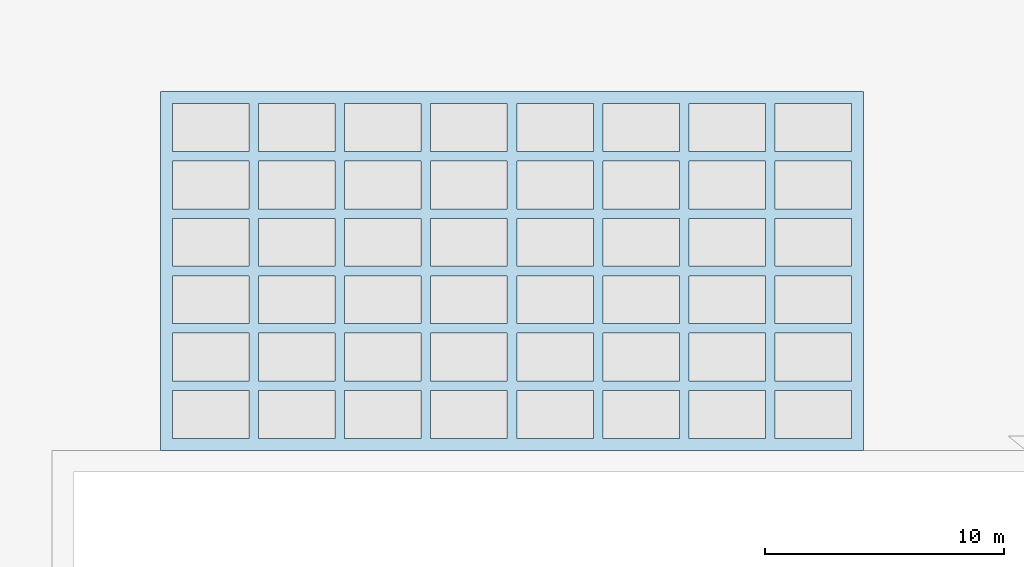
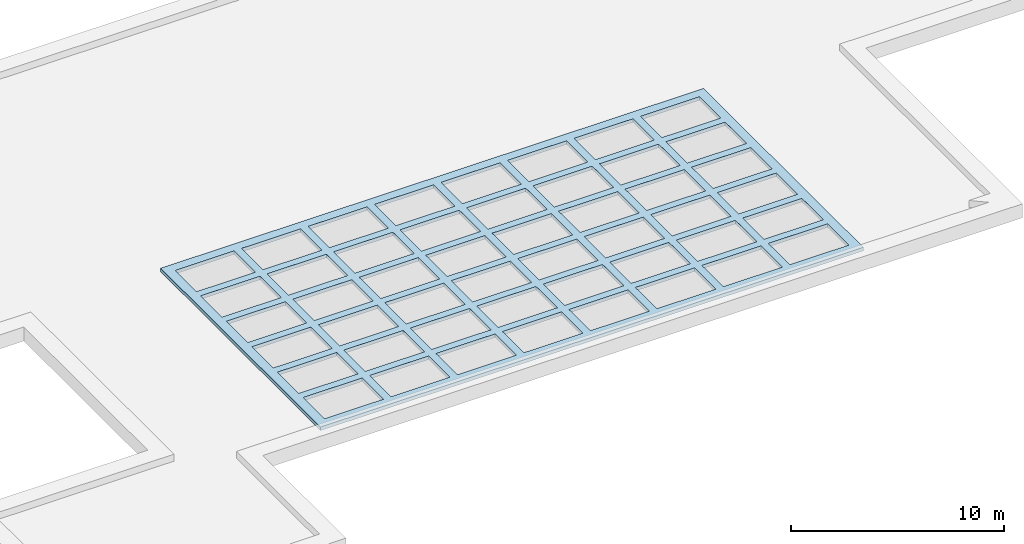
# One storey, part 1 of 2: 1 slab, 48 openings.
"""IFC4 building model written with IfcOpenShell, lengths in metres."""

from ifc_helpers import new_model, si_unit, direction, frame, origin, origin_2d, place, context, subcontext, project, spatial, polyline, rectangle, outline, extrude, material, layer, layer_set, type_object, element, save


model = new_model("IFC4")

# Units and contexts
model_context = context("Model", 3, precision=1e-05, world=origin(), true_north=direction((0.0, 1.0)))
body_context = subcontext(model_context, "Body", "Model", "MODEL_VIEW")
ifc_project = project(units=[si_unit("LENGTHUNIT", "METRE"), si_unit("AREAUNIT", "SQUARE_METRE"), si_unit("VOLUMEUNIT", "CUBIC_METRE"), si_unit("PLANEANGLEUNIT", "RADIAN"), si_unit("MASSUNIT", "GRAM", prefix="KILO")], contexts=[model_context])

# Site, building, storey
site_placement = place(None, origin())
site = spatial("IfcSite", under=ifc_project, at=site_placement, CompositionType="ELEMENT")
building_placement = place(site_placement, origin())
building = spatial("IfcBuilding", under=site, at=building_placement, Name="Saffron Iwan Residences", CompositionType="ELEMENT")
storey_placement = place(building_placement, frame((0.0, 0.0, 281.5)))
storey = spatial("IfcBuildingStorey", under=building, at=storey_placement, Name="ROOF", CompositionType="ELEMENT", Elevation=281.5)

# Slab, openings
ifc_material = material(Name="Steel S355", Category="steel")
ifc_layer = layer(ifc_material, 0.199951171875)
ifc_layer_set = layer_set([ifc_layer], Name="Steel S355")
slab_type = type_object("IfcSlabType", Name="ROOFLIGHT FRAME 200", PredefinedType="ROOF", material=ifc_layer_set)
slab_placement = place(storey_placement, frame((0.0, 0.0, 1.2998046875)))
slab = element("IfcSlab", 1, at=slab_placement, inside=storey, type_object=slab_type, Name="Rooflight glazing frame", PredefinedType="ROOF", context=body_context, shape_type="SweptSolid", body=[
    extrude(outline(polyline([(65.10009765625, 47.699951171875), (65.10009765625, 62.699951171875), (35.699951171875, 62.699951171875), (35.699951171875, 47.699951171875), (65.10009765625, 47.699951171875)]), holes=[polyline([(36.199951171875, 48.199951171875), (39.39990234375, 48.199951171875), (39.39990234375, 50.199951171875), (36.199951171875, 50.199951171875), (36.199951171875, 48.199951171875)]), polyline([(36.199951171875, 50.60009765625), (39.39990234375, 50.60009765625), (39.39990234375, 52.60009765625), (36.199951171875, 52.60009765625), (36.199951171875, 50.60009765625)]), polyline([(36.199951171875, 53.0), (39.39990234375, 53.0), (39.39990234375, 55.0), (36.199951171875, 55.0), (36.199951171875, 53.0)]), polyline([(36.199951171875, 55.39990234375), (39.39990234375, 55.39990234375), (39.39990234375, 57.39990234375), (36.199951171875, 57.39990234375), (36.199951171875, 55.39990234375)]), polyline([(36.199951171875, 57.800048828125), (39.39990234375, 57.800048828125), (39.39990234375, 59.800048828125), (36.199951171875, 59.800048828125), (36.199951171875, 57.800048828125)]), polyline([(36.199951171875, 60.199951171875), (39.39990234375, 60.199951171875), (39.39990234375, 62.199951171875), (36.199951171875, 62.199951171875), (36.199951171875, 60.199951171875)]), polyline([(39.800048828125, 48.199951171875), (43.0, 48.199951171875), (43.0, 50.199951171875), (39.800048828125, 50.199951171875), (39.800048828125, 48.199951171875)]), polyline([(39.800048828125, 50.60009765625), (43.0, 50.60009765625), (43.0, 52.60009765625), (39.800048828125, 52.60009765625), (39.800048828125, 50.60009765625)]), polyline([(39.800048828125, 53.0), (43.0, 53.0), (43.0, 55.0), (39.800048828125, 55.0), (39.800048828125, 53.0)]), polyline([(39.800048828125, 55.39990234375), (43.0, 55.39990234375), (43.0, 57.39990234375), (39.800048828125, 57.39990234375), (39.800048828125, 55.39990234375)]), polyline([(39.800048828125, 57.800048828125), (43.0, 57.800048828125), (43.0, 59.800048828125), (39.800048828125, 59.800048828125), (39.800048828125, 57.800048828125)]), polyline([(39.800048828125, 60.199951171875), (43.0, 60.199951171875), (43.0, 62.199951171875), (39.800048828125, 62.199951171875), (39.800048828125, 60.199951171875)]), polyline([(43.39990234375, 48.199951171875), (46.60009765625, 48.199951171875), (46.60009765625, 50.199951171875), (43.39990234375, 50.199951171875), (43.39990234375, 48.199951171875)]), polyline([(43.39990234375, 50.60009765625), (46.60009765625, 50.60009765625), (46.60009765625, 52.60009765625), (43.39990234375, 52.60009765625), (43.39990234375, 50.60009765625)]), polyline([(43.39990234375, 53.0), (46.60009765625, 53.0), (46.60009765625, 55.0), (43.39990234375, 55.0), (43.39990234375, 53.0)]), polyline([(43.39990234375, 55.39990234375), (46.60009765625, 55.39990234375), (46.60009765625, 57.39990234375), (43.39990234375, 57.39990234375), (43.39990234375, 55.39990234375)]), polyline([(43.39990234375, 57.800048828125), (46.60009765625, 57.800048828125), (46.60009765625, 59.800048828125), (43.39990234375, 59.800048828125), (43.39990234375, 57.800048828125)]), polyline([(43.39990234375, 60.199951171875), (46.60009765625, 60.199951171875), (46.60009765625, 62.199951171875), (43.39990234375, 62.199951171875), (43.39990234375, 60.199951171875)]), polyline([(47.0, 48.199951171875), (50.199951171875, 48.199951171875), (50.199951171875, 50.199951171875), (47.0, 50.199951171875), (47.0, 48.199951171875)]), polyline([(47.0, 50.60009765625), (50.199951171875, 50.60009765625), (50.199951171875, 52.60009765625), (47.0, 52.60009765625), (47.0, 50.60009765625)]), polyline([(47.0, 53.0), (50.199951171875, 53.0), (50.199951171875, 55.0), (47.0, 55.0), (47.0, 53.0)]), polyline([(47.0, 55.39990234375), (50.199951171875, 55.39990234375), (50.199951171875, 57.39990234375), (47.0, 57.39990234375), (47.0, 55.39990234375)]), polyline([(47.0, 57.800048828125), (50.199951171875, 57.800048828125), (50.199951171875, 59.800048828125), (47.0, 59.800048828125), (47.0, 57.800048828125)]), polyline([(47.0, 60.199951171875), (50.199951171875, 60.199951171875), (50.199951171875, 62.199951171875), (47.0, 62.199951171875), (47.0, 60.199951171875)]), polyline([(50.60009765625, 48.199951171875), (53.800048828125, 48.199951171875), (53.800048828125, 50.199951171875), (50.60009765625, 50.199951171875), (50.60009765625, 48.199951171875)]), polyline([(50.60009765625, 50.60009765625), (53.800048828125, 50.60009765625), (53.800048828125, 52.60009765625), (50.60009765625, 52.60009765625), (50.60009765625, 50.60009765625)]), polyline([(50.60009765625, 53.0), (53.800048828125, 53.0), (53.800048828125, 55.0), (50.60009765625, 55.0), (50.60009765625, 53.0)]), polyline([(50.60009765625, 55.39990234375), (53.800048828125, 55.39990234375), (53.800048828125, 57.39990234375), (50.60009765625, 57.39990234375), (50.60009765625, 55.39990234375)]), polyline([(50.60009765625, 57.800048828125), (53.800048828125, 57.800048828125), (53.800048828125, 59.800048828125), (50.60009765625, 59.800048828125), (50.60009765625, 57.800048828125)]), polyline([(50.60009765625, 60.199951171875), (53.800048828125, 60.199951171875), (53.800048828125, 62.199951171875), (50.60009765625, 62.199951171875), (50.60009765625, 60.199951171875)]), polyline([(54.199951171875, 48.199951171875), (57.39990234375, 48.199951171875), (57.39990234375, 50.199951171875), (54.199951171875, 50.199951171875), (54.199951171875, 48.199951171875)]), polyline([(54.199951171875, 50.60009765625), (57.39990234375, 50.60009765625), (57.39990234375, 52.60009765625), (54.199951171875, 52.60009765625), (54.199951171875, 50.60009765625)]), polyline([(54.199951171875, 53.0), (57.39990234375, 53.0), (57.39990234375, 55.0), (54.199951171875, 55.0), (54.199951171875, 53.0)]), polyline([(54.199951171875, 55.39990234375), (57.39990234375, 55.39990234375), (57.39990234375, 57.39990234375), (54.199951171875, 57.39990234375), (54.199951171875, 55.39990234375)]), polyline([(54.199951171875, 57.800048828125), (57.39990234375, 57.800048828125), (57.39990234375, 59.800048828125), (54.199951171875, 59.800048828125), (54.199951171875, 57.800048828125)]), polyline([(54.199951171875, 60.199951171875), (57.39990234375, 60.199951171875), (57.39990234375, 62.199951171875), (54.199951171875, 62.199951171875), (54.199951171875, 60.199951171875)]), polyline([(57.800048828125, 48.199951171875), (61.0, 48.199951171875), (61.0, 50.199951171875), (57.800048828125, 50.199951171875), (57.800048828125, 48.199951171875)]), polyline([(57.800048828125, 50.60009765625), (61.0, 50.60009765625), (61.0, 52.60009765625), (57.800048828125, 52.60009765625), (57.800048828125, 50.60009765625)]), polyline([(57.800048828125, 53.0), (61.0, 53.0), (61.0, 55.0), (57.800048828125, 55.0), (57.800048828125, 53.0)]), polyline([(57.800048828125, 55.39990234375), (61.0, 55.39990234375), (61.0, 57.39990234375), (57.800048828125, 57.39990234375), (57.800048828125, 55.39990234375)]), polyline([(57.800048828125, 57.800048828125), (61.0, 57.800048828125), (61.0, 59.800048828125), (57.800048828125, 59.800048828125), (57.800048828125, 57.800048828125)]), polyline([(57.800048828125, 60.199951171875), (61.0, 60.199951171875), (61.0, 62.199951171875), (57.800048828125, 62.199951171875), (57.800048828125, 60.199951171875)]), polyline([(61.39990234375, 48.199951171875), (64.60009765625, 48.199951171875), (64.60009765625, 50.199951171875), (61.39990234375, 50.199951171875), (61.39990234375, 48.199951171875)]), polyline([(61.39990234375, 50.60009765625), (64.60009765625, 50.60009765625), (64.60009765625, 52.60009765625), (61.39990234375, 52.60009765625), (61.39990234375, 50.60009765625)]), polyline([(61.39990234375, 53.0), (64.60009765625, 53.0), (64.60009765625, 55.0), (61.39990234375, 55.0), (61.39990234375, 53.0)]), polyline([(61.39990234375, 55.39990234375), (64.60009765625, 55.39990234375), (64.60009765625, 57.39990234375), (61.39990234375, 57.39990234375), (61.39990234375, 55.39990234375)]), polyline([(61.39990234375, 57.800048828125), (64.60009765625, 57.800048828125), (64.60009765625, 59.800048828125), (61.39990234375, 59.800048828125), (61.39990234375, 57.800048828125)]), polyline([(61.39990234375, 60.199951171875), (64.60009765625, 60.199951171875), (64.60009765625, 62.199951171875), (61.39990234375, 62.199951171875), (61.39990234375, 60.199951171875)])]), origin(), (0.0, 0.0, 1.0), 0.2001953125),
])
opening_1_placement = place(slab_placement, frame((37.800048828125, 49.199951171875, 0.0)))
element("IfcOpeningElement", 2, at=opening_1_placement, cuts=slab, Name="Opening RL1", PredefinedType="OPENING", context=body_context, shape_type="SweptSolid", body=[
    extrude(rectangle(XDim=3.199951171875, YDim=2.0, at=origin_2d()), origin(), (0.0, 0.0, 1.0), 0.199951171875),
])
opening_2_placement = place(slab_placement, frame((37.800048828125, 51.60009765625, 0.0)))
element("IfcOpeningElement", 3, at=opening_2_placement, cuts=slab, Name="Opening RL1", PredefinedType="OPENING", context=body_context, shape_type="SweptSolid", body=[
    extrude(rectangle(XDim=3.199951171875, YDim=2.0, at=origin_2d()), origin(), (0.0, 0.0, 1.0), 0.199951171875),
])
opening_3_placement = place(slab_placement, frame((37.800048828125, 54.0, 0.0)))
element("IfcOpeningElement", 4, at=opening_3_placement, cuts=slab, Name="Opening RL1", PredefinedType="OPENING", context=body_context, shape_type="SweptSolid", body=[
    extrude(rectangle(XDim=3.199951171875, YDim=2.0, at=origin_2d()), origin(), (0.0, 0.0, 1.0), 0.199951171875),
])
opening_4_placement = place(slab_placement, frame((37.800048828125, 56.39990234375, 0.0)))
element("IfcOpeningElement", 5, at=opening_4_placement, cuts=slab, Name="Opening RL1", PredefinedType="OPENING", context=body_context, shape_type="SweptSolid", body=[
    extrude(rectangle(XDim=3.199951171875, YDim=2.0, at=origin_2d()), origin(), (0.0, 0.0, 1.0), 0.199951171875),
])
opening_5_placement = place(slab_placement, frame((37.800048828125, 58.800048828125, 0.0)))
element("IfcOpeningElement", 6, at=opening_5_placement, cuts=slab, Name="Opening RL1", PredefinedType="OPENING", context=body_context, shape_type="SweptSolid", body=[
    extrude(rectangle(XDim=3.199951171875, YDim=2.0, at=origin_2d()), origin(), (0.0, 0.0, 1.0), 0.199951171875),
])
opening_6_placement = place(slab_placement, frame((37.800048828125, 61.199951171875, 0.0)))
element("IfcOpeningElement", 7, at=opening_6_placement, cuts=slab, Name="Opening RL1", PredefinedType="OPENING", context=body_context, shape_type="SweptSolid", body=[
    extrude(rectangle(XDim=3.199951171875, YDim=2.0, at=origin_2d()), origin(), (0.0, 0.0, 1.0), 0.199951171875),
])
opening_7_placement = place(slab_placement, frame((41.39990234375, 49.199951171875, 0.0)))
element("IfcOpeningElement", 8, at=opening_7_placement, cuts=slab, Name="Opening RL1", PredefinedType="OPENING", context=body_context, shape_type="SweptSolid", body=[
    extrude(rectangle(XDim=3.199951171875, YDim=2.0, at=origin_2d()), origin(), (0.0, 0.0, 1.0), 0.199951171875),
])
opening_8_placement = place(slab_placement, frame((41.39990234375, 51.60009765625, 0.0)))
element("IfcOpeningElement", 9, at=opening_8_placement, cuts=slab, Name="Opening RL1", PredefinedType="OPENING", context=body_context, shape_type="SweptSolid", body=[
    extrude(rectangle(XDim=3.199951171875, YDim=2.0, at=origin_2d()), origin(), (0.0, 0.0, 1.0), 0.199951171875),
])
opening_9_placement = place(slab_placement, frame((41.39990234375, 54.0, 0.0)))
element("IfcOpeningElement", 10, at=opening_9_placement, cuts=slab, Name="Opening RL1", PredefinedType="OPENING", context=body_context, shape_type="SweptSolid", body=[
    extrude(rectangle(XDim=3.199951171875, YDim=2.0, at=origin_2d()), origin(), (0.0, 0.0, 1.0), 0.199951171875),
])
opening_10_placement = place(slab_placement, frame((41.39990234375, 56.39990234375, 0.0)))
element("IfcOpeningElement", 11, at=opening_10_placement, cuts=slab, Name="Opening RL1", PredefinedType="OPENING", context=body_context, shape_type="SweptSolid", body=[
    extrude(rectangle(XDim=3.199951171875, YDim=2.0, at=origin_2d()), origin(), (0.0, 0.0, 1.0), 0.199951171875),
])
opening_11_placement = place(slab_placement, frame((41.39990234375, 58.800048828125, 0.0)))
element("IfcOpeningElement", 12, at=opening_11_placement, cuts=slab, Name="Opening RL1", PredefinedType="OPENING", context=body_context, shape_type="SweptSolid", body=[
    extrude(rectangle(XDim=3.199951171875, YDim=2.0, at=origin_2d()), origin(), (0.0, 0.0, 1.0), 0.199951171875),
])
opening_12_placement = place(slab_placement, frame((41.39990234375, 61.199951171875, 0.0)))
element("IfcOpeningElement", 13, at=opening_12_placement, cuts=slab, Name="Opening RL1", PredefinedType="OPENING", context=body_context, shape_type="SweptSolid", body=[
    extrude(rectangle(XDim=3.199951171875, YDim=2.0, at=origin_2d()), origin(), (0.0, 0.0, 1.0), 0.199951171875),
])
opening_13_placement = place(slab_placement, frame((45.0, 49.199951171875, 0.0)))
element("IfcOpeningElement", 14, at=opening_13_placement, cuts=slab, Name="Opening RL1", PredefinedType="OPENING", context=body_context, shape_type="SweptSolid", body=[
    extrude(rectangle(XDim=3.199951171875, YDim=2.0, at=origin_2d()), origin(), (0.0, 0.0, 1.0), 0.199951171875),
])
opening_14_placement = place(slab_placement, frame((45.0, 51.60009765625, 0.0)))
element("IfcOpeningElement", 15, at=opening_14_placement, cuts=slab, Name="Opening RL1", PredefinedType="OPENING", context=body_context, shape_type="SweptSolid", body=[
    extrude(rectangle(XDim=3.199951171875, YDim=2.0, at=origin_2d()), origin(), (0.0, 0.0, 1.0), 0.199951171875),
])
opening_15_placement = place(slab_placement, frame((45.0, 54.0, 0.0)))
element("IfcOpeningElement", 16, at=opening_15_placement, cuts=slab, Name="Opening RL1", PredefinedType="OPENING", context=body_context, shape_type="SweptSolid", body=[
    extrude(rectangle(XDim=3.199951171875, YDim=2.0, at=origin_2d()), origin(), (0.0, 0.0, 1.0), 0.199951171875),
])
opening_16_placement = place(slab_placement, frame((45.0, 56.39990234375, 0.0)))
element("IfcOpeningElement", 17, at=opening_16_placement, cuts=slab, Name="Opening RL1", PredefinedType="OPENING", context=body_context, shape_type="SweptSolid", body=[
    extrude(rectangle(XDim=3.199951171875, YDim=2.0, at=origin_2d()), origin(), (0.0, 0.0, 1.0), 0.199951171875),
])
opening_17_placement = place(slab_placement, frame((45.0, 58.800048828125, 0.0)))
element("IfcOpeningElement", 18, at=opening_17_placement, cuts=slab, Name="Opening RL1", PredefinedType="OPENING", context=body_context, shape_type="SweptSolid", body=[
    extrude(rectangle(XDim=3.199951171875, YDim=2.0, at=origin_2d()), origin(), (0.0, 0.0, 1.0), 0.199951171875),
])
opening_18_placement = place(slab_placement, frame((45.0, 61.199951171875, 0.0)))
element("IfcOpeningElement", 19, at=opening_18_placement, cuts=slab, Name="Opening RL1", PredefinedType="OPENING", context=body_context, shape_type="SweptSolid", body=[
    extrude(rectangle(XDim=3.199951171875, YDim=2.0, at=origin_2d()), origin(), (0.0, 0.0, 1.0), 0.199951171875),
])
opening_19_placement = place(slab_placement, frame((48.60009765625, 49.199951171875, 0.0)))
element("IfcOpeningElement", 20, at=opening_19_placement, cuts=slab, Name="Opening RL1", PredefinedType="OPENING", context=body_context, shape_type="SweptSolid", body=[
    extrude(rectangle(XDim=3.199951171875, YDim=2.0, at=origin_2d()), origin(), (0.0, 0.0, 1.0), 0.199951171875),
])
opening_20_placement = place(slab_placement, frame((48.60009765625, 51.60009765625, 0.0)))
element("IfcOpeningElement", 21, at=opening_20_placement, cuts=slab, Name="Opening RL1", PredefinedType="OPENING", context=body_context, shape_type="SweptSolid", body=[
    extrude(rectangle(XDim=3.199951171875, YDim=2.0, at=origin_2d()), origin(), (0.0, 0.0, 1.0), 0.199951171875),
])
opening_21_placement = place(slab_placement, frame((48.60009765625, 54.0, 0.0)))
element("IfcOpeningElement", 22, at=opening_21_placement, cuts=slab, Name="Opening RL1", PredefinedType="OPENING", context=body_context, shape_type="SweptSolid", body=[
    extrude(rectangle(XDim=3.199951171875, YDim=2.0, at=origin_2d()), origin(), (0.0, 0.0, 1.0), 0.199951171875),
])
opening_22_placement = place(slab_placement, frame((48.60009765625, 56.39990234375, 0.0)))
element("IfcOpeningElement", 23, at=opening_22_placement, cuts=slab, Name="Opening RL1", PredefinedType="OPENING", context=body_context, shape_type="SweptSolid", body=[
    extrude(rectangle(XDim=3.199951171875, YDim=2.0, at=origin_2d()), origin(), (0.0, 0.0, 1.0), 0.199951171875),
])
opening_23_placement = place(slab_placement, frame((48.60009765625, 58.800048828125, 0.0)))
element("IfcOpeningElement", 24, at=opening_23_placement, cuts=slab, Name="Opening RL1", PredefinedType="OPENING", context=body_context, shape_type="SweptSolid", body=[
    extrude(rectangle(XDim=3.199951171875, YDim=2.0, at=origin_2d()), origin(), (0.0, 0.0, 1.0), 0.199951171875),
])
opening_24_placement = place(slab_placement, frame((48.60009765625, 61.199951171875, 0.0)))
element("IfcOpeningElement", 25, at=opening_24_placement, cuts=slab, Name="Opening RL1", PredefinedType="OPENING", context=body_context, shape_type="SweptSolid", body=[
    extrude(rectangle(XDim=3.199951171875, YDim=2.0, at=origin_2d()), origin(), (0.0, 0.0, 1.0), 0.199951171875),
])
opening_25_placement = place(slab_placement, frame((52.199951171875, 49.199951171875, 0.0)))
element("IfcOpeningElement", 26, at=opening_25_placement, cuts=slab, Name="Opening RL1", PredefinedType="OPENING", context=body_context, shape_type="SweptSolid", body=[
    extrude(rectangle(XDim=3.199951171875, YDim=2.0, at=origin_2d()), origin(), (0.0, 0.0, 1.0), 0.199951171875),
])
opening_26_placement = place(slab_placement, frame((52.199951171875, 51.60009765625, 0.0)))
element("IfcOpeningElement", 27, at=opening_26_placement, cuts=slab, Name="Opening RL1", PredefinedType="OPENING", context=body_context, shape_type="SweptSolid", body=[
    extrude(rectangle(XDim=3.199951171875, YDim=2.0, at=origin_2d()), origin(), (0.0, 0.0, 1.0), 0.199951171875),
])
opening_27_placement = place(slab_placement, frame((52.199951171875, 54.0, 0.0)))
element("IfcOpeningElement", 28, at=opening_27_placement, cuts=slab, Name="Opening RL1", PredefinedType="OPENING", context=body_context, shape_type="SweptSolid", body=[
    extrude(rectangle(XDim=3.199951171875, YDim=2.0, at=origin_2d()), origin(), (0.0, 0.0, 1.0), 0.199951171875),
])
opening_28_placement = place(slab_placement, frame((52.199951171875, 56.39990234375, 0.0)))
element("IfcOpeningElement", 29, at=opening_28_placement, cuts=slab, Name="Opening RL1", PredefinedType="OPENING", context=body_context, shape_type="SweptSolid", body=[
    extrude(rectangle(XDim=3.199951171875, YDim=2.0, at=origin_2d()), origin(), (0.0, 0.0, 1.0), 0.199951171875),
])
opening_29_placement = place(slab_placement, frame((52.199951171875, 58.800048828125, 0.0)))
element("IfcOpeningElement", 30, at=opening_29_placement, cuts=slab, Name="Opening RL1", PredefinedType="OPENING", context=body_context, shape_type="SweptSolid", body=[
    extrude(rectangle(XDim=3.199951171875, YDim=2.0, at=origin_2d()), origin(), (0.0, 0.0, 1.0), 0.199951171875),
])
opening_30_placement = place(slab_placement, frame((52.199951171875, 61.199951171875, 0.0)))
element("IfcOpeningElement", 31, at=opening_30_placement, cuts=slab, Name="Opening RL1", PredefinedType="OPENING", context=body_context, shape_type="SweptSolid", body=[
    extrude(rectangle(XDim=3.199951171875, YDim=2.0, at=origin_2d()), origin(), (0.0, 0.0, 1.0), 0.199951171875),
])
opening_31_placement = place(slab_placement, frame((55.800048828125, 49.199951171875, 0.0)))
element("IfcOpeningElement", 32, at=opening_31_placement, cuts=slab, Name="Opening RL1", PredefinedType="OPENING", context=body_context, shape_type="SweptSolid", body=[
    extrude(rectangle(XDim=3.199951171875, YDim=2.0, at=origin_2d()), origin(), (0.0, 0.0, 1.0), 0.199951171875),
])
opening_32_placement = place(slab_placement, frame((55.800048828125, 51.60009765625, 0.0)))
element("IfcOpeningElement", 33, at=opening_32_placement, cuts=slab, Name="Opening RL1", PredefinedType="OPENING", context=body_context, shape_type="SweptSolid", body=[
    extrude(rectangle(XDim=3.199951171875, YDim=2.0, at=origin_2d()), origin(), (0.0, 0.0, 1.0), 0.199951171875),
])
opening_33_placement = place(slab_placement, frame((55.800048828125, 54.0, 0.0)))
element("IfcOpeningElement", 34, at=opening_33_placement, cuts=slab, Name="Opening RL1", PredefinedType="OPENING", context=body_context, shape_type="SweptSolid", body=[
    extrude(rectangle(XDim=3.199951171875, YDim=2.0, at=origin_2d()), origin(), (0.0, 0.0, 1.0), 0.199951171875),
])
opening_34_placement = place(slab_placement, frame((55.800048828125, 56.39990234375, 0.0)))
element("IfcOpeningElement", 35, at=opening_34_placement, cuts=slab, Name="Opening RL1", PredefinedType="OPENING", context=body_context, shape_type="SweptSolid", body=[
    extrude(rectangle(XDim=3.199951171875, YDim=2.0, at=origin_2d()), origin(), (0.0, 0.0, 1.0), 0.199951171875),
])
opening_35_placement = place(slab_placement, frame((55.800048828125, 58.800048828125, 0.0)))
element("IfcOpeningElement", 36, at=opening_35_placement, cuts=slab, Name="Opening RL1", PredefinedType="OPENING", context=body_context, shape_type="SweptSolid", body=[
    extrude(rectangle(XDim=3.199951171875, YDim=2.0, at=origin_2d()), origin(), (0.0, 0.0, 1.0), 0.199951171875),
])
opening_36_placement = place(slab_placement, frame((55.800048828125, 61.199951171875, 0.0)))
element("IfcOpeningElement", 37, at=opening_36_placement, cuts=slab, Name="Opening RL1", PredefinedType="OPENING", context=body_context, shape_type="SweptSolid", body=[
    extrude(rectangle(XDim=3.199951171875, YDim=2.0, at=origin_2d()), origin(), (0.0, 0.0, 1.0), 0.199951171875),
])
opening_37_placement = place(slab_placement, frame((59.39990234375, 49.199951171875, 0.0)))
element("IfcOpeningElement", 38, at=opening_37_placement, cuts=slab, Name="Opening RL1", PredefinedType="OPENING", context=body_context, shape_type="SweptSolid", body=[
    extrude(rectangle(XDim=3.199951171875, YDim=2.0, at=origin_2d()), origin(), (0.0, 0.0, 1.0), 0.199951171875),
])
opening_38_placement = place(slab_placement, frame((59.39990234375, 51.60009765625, 0.0)))
element("IfcOpeningElement", 39, at=opening_38_placement, cuts=slab, Name="Opening RL1", PredefinedType="OPENING", context=body_context, shape_type="SweptSolid", body=[
    extrude(rectangle(XDim=3.199951171875, YDim=2.0, at=origin_2d()), origin(), (0.0, 0.0, 1.0), 0.199951171875),
])
opening_39_placement = place(slab_placement, frame((59.39990234375, 54.0, 0.0)))
element("IfcOpeningElement", 40, at=opening_39_placement, cuts=slab, Name="Opening RL1", PredefinedType="OPENING", context=body_context, shape_type="SweptSolid", body=[
    extrude(rectangle(XDim=3.199951171875, YDim=2.0, at=origin_2d()), origin(), (0.0, 0.0, 1.0), 0.199951171875),
])
opening_40_placement = place(slab_placement, frame((59.39990234375, 56.39990234375, 0.0)))
element("IfcOpeningElement", 41, at=opening_40_placement, cuts=slab, Name="Opening RL1", PredefinedType="OPENING", context=body_context, shape_type="SweptSolid", body=[
    extrude(rectangle(XDim=3.199951171875, YDim=2.0, at=origin_2d()), origin(), (0.0, 0.0, 1.0), 0.199951171875),
])
opening_41_placement = place(slab_placement, frame((59.39990234375, 58.800048828125, 0.0)))
element("IfcOpeningElement", 42, at=opening_41_placement, cuts=slab, Name="Opening RL1", PredefinedType="OPENING", context=body_context, shape_type="SweptSolid", body=[
    extrude(rectangle(XDim=3.199951171875, YDim=2.0, at=origin_2d()), origin(), (0.0, 0.0, 1.0), 0.199951171875),
])
opening_42_placement = place(slab_placement, frame((59.39990234375, 61.199951171875, 0.0)))
element("IfcOpeningElement", 43, at=opening_42_placement, cuts=slab, Name="Opening RL1", PredefinedType="OPENING", context=body_context, shape_type="SweptSolid", body=[
    extrude(rectangle(XDim=3.199951171875, YDim=2.0, at=origin_2d()), origin(), (0.0, 0.0, 1.0), 0.199951171875),
])
opening_43_placement = place(slab_placement, frame((63.0, 49.199951171875, 0.0)))
element("IfcOpeningElement", 44, at=opening_43_placement, cuts=slab, Name="Opening RL1", PredefinedType="OPENING", context=body_context, shape_type="SweptSolid", body=[
    extrude(rectangle(XDim=3.199951171875, YDim=2.0, at=origin_2d()), origin(), (0.0, 0.0, 1.0), 0.199951171875),
])
opening_44_placement = place(slab_placement, frame((63.0, 51.60009765625, 0.0)))
element("IfcOpeningElement", 45, at=opening_44_placement, cuts=slab, Name="Opening RL1", PredefinedType="OPENING", context=body_context, shape_type="SweptSolid", body=[
    extrude(rectangle(XDim=3.199951171875, YDim=2.0, at=origin_2d()), origin(), (0.0, 0.0, 1.0), 0.199951171875),
])
opening_45_placement = place(slab_placement, frame((63.0, 54.0, 0.0)))
element("IfcOpeningElement", 46, at=opening_45_placement, cuts=slab, Name="Opening RL1", PredefinedType="OPENING", context=body_context, shape_type="SweptSolid", body=[
    extrude(rectangle(XDim=3.199951171875, YDim=2.0, at=origin_2d()), origin(), (0.0, 0.0, 1.0), 0.199951171875),
])
opening_46_placement = place(slab_placement, frame((63.0, 56.39990234375, 0.0)))
element("IfcOpeningElement", 47, at=opening_46_placement, cuts=slab, Name="Opening RL1", PredefinedType="OPENING", context=body_context, shape_type="SweptSolid", body=[
    extrude(rectangle(XDim=3.199951171875, YDim=2.0, at=origin_2d()), origin(), (0.0, 0.0, 1.0), 0.199951171875),
])
opening_47_placement = place(slab_placement, frame((63.0, 58.800048828125, 0.0)))
element("IfcOpeningElement", 48, at=opening_47_placement, cuts=slab, Name="Opening RL1", PredefinedType="OPENING", context=body_context, shape_type="SweptSolid", body=[
    extrude(rectangle(XDim=3.199951171875, YDim=2.0, at=origin_2d()), origin(), (0.0, 0.0, 1.0), 0.199951171875),
])
opening_48_placement = place(slab_placement, frame((63.0, 61.199951171875, 0.0)))
element("IfcOpeningElement", 49, at=opening_48_placement, cuts=slab, Name="Opening RL1", PredefinedType="OPENING", context=body_context, shape_type="SweptSolid", body=[
    extrude(rectangle(XDim=3.199951171875, YDim=2.0, at=origin_2d()), origin(), (0.0, 0.0, 1.0), 0.199951171875),
])

save(model, "model.ifc")
